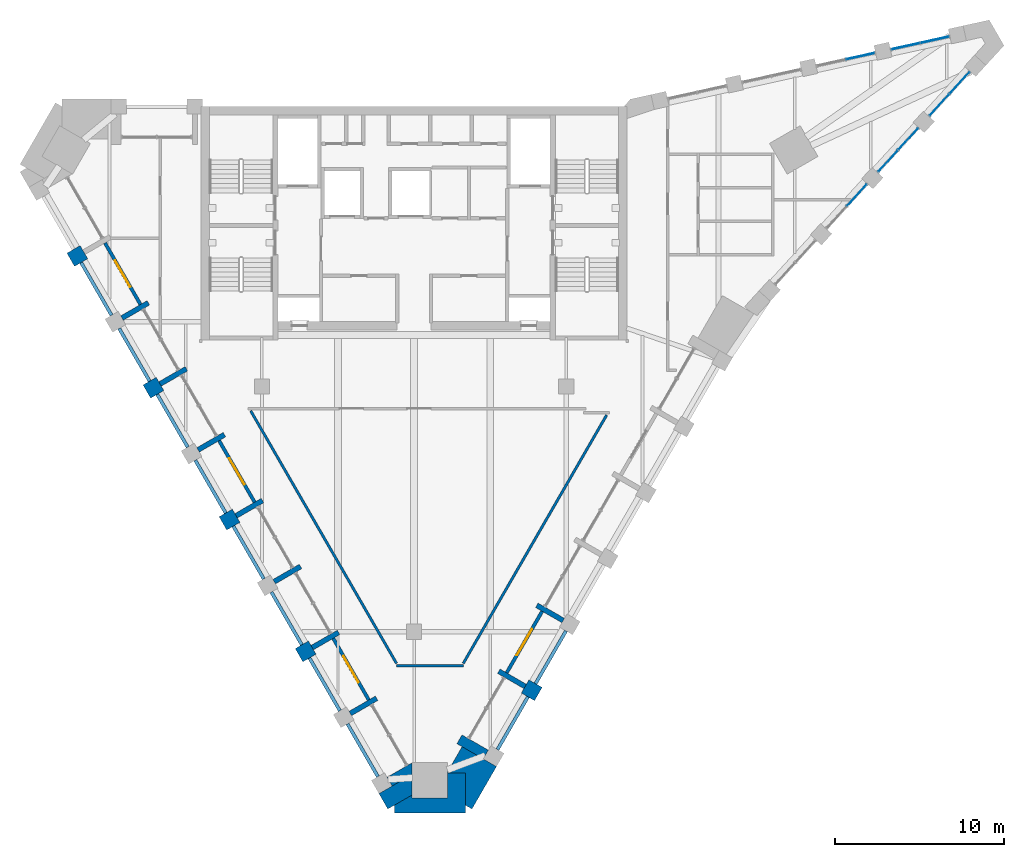
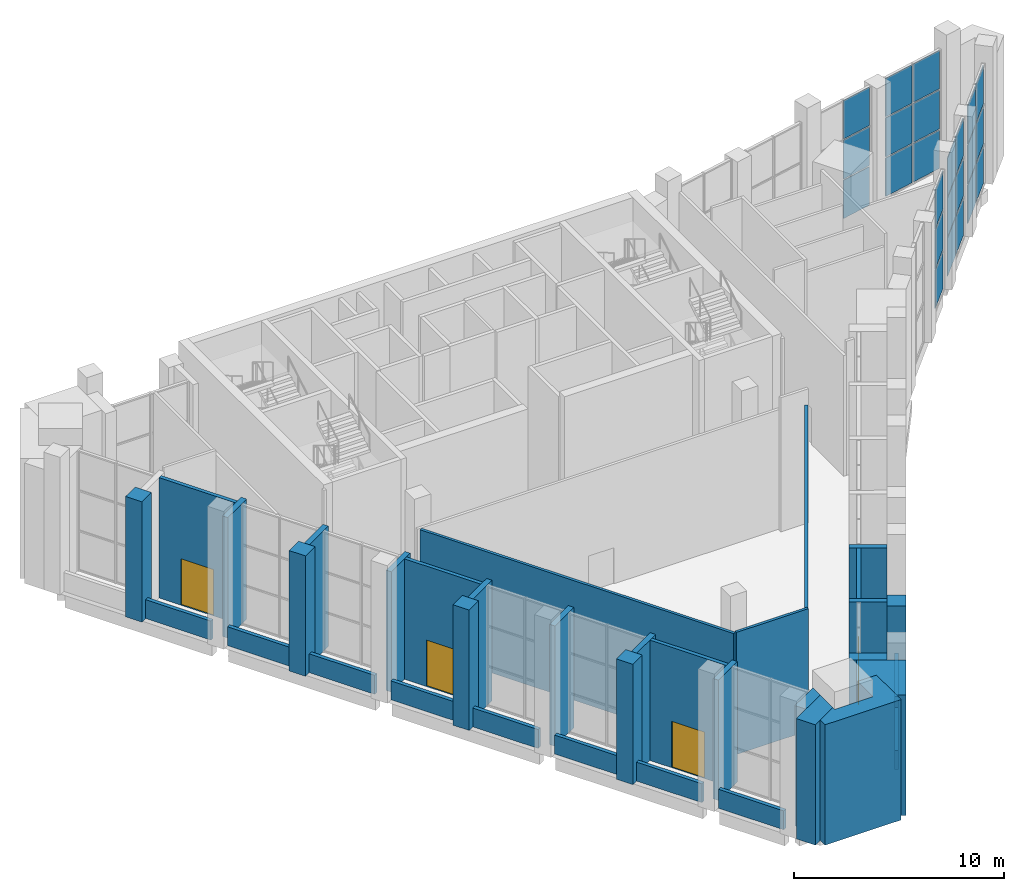
# One storey, part 10 of 16: 36 walls, 24 plates, 4 doors, 4 openings, 5 elements without a shape of their own.
"""IFC4 building model written with IfcOpenShell, lengths in metres."""

from ifc_helpers import new_model, si_unit, direction, frame, frame_2d, origin, origin_2d, place, context, subcontext, project, spatial, polyline, rectangle, outline, extrude, material, layer, layer_set, type_object, element, fill, aggregate, save


model = new_model("IFC4")

# Units and contexts
model_context = context("Model", 3, precision=1e-05, world=origin(), true_north=direction((0.0, 1.0)))
body_context = subcontext(model_context, "Body", "Model", "MODEL_VIEW")
ifc_project = project(units=[si_unit("LENGTHUNIT", "METRE"), si_unit("AREAUNIT", "SQUARE_METRE"), si_unit("VOLUMEUNIT", "CUBIC_METRE"), si_unit("PLANEANGLEUNIT", "RADIAN"), si_unit("MASSUNIT", "GRAM", prefix="KILO")], contexts=[model_context])

# Site, building, storey
site_placement = place(None, origin())
site = spatial("IfcSite", under=ifc_project, at=site_placement, CompositionType="ELEMENT")
building_placement = place(site_placement, origin())
building = spatial("IfcBuilding", under=site, at=building_placement, Name="Calabash Gate Tower", CompositionType="ELEMENT")
storey_placement = place(building_placement, frame((0.0, 0.0, 302.5)))
storey = spatial("IfcBuildingStorey", under=building, at=storey_placement, Name="L72", CompositionType="ELEMENT", Elevation=302.5)

# Curtain wall, plates
ifc_material_1 = material(Name="Anodised aluminium frame, bronze finish, clear laminated impact-rated glazing", Category="aluminium")
curtain_wall_type = type_object("IfcCurtainWallType", Name="Curtain wall CWW wedge prow wall", PredefinedType="NOTDEFINED", material=ifc_material_1)
curtain_wall_1_placement = place(storey_placement, origin())
curtain_wall_1 = element("IfcCurtainWall", 1, at=curtain_wall_1_placement, inside=storey, type_object=curtain_wall_type, Name="Curtain wall CWW L72 wedge3.2", PredefinedType="NOTDEFINED")
ifc_material_2 = material(Name="Clear laminated impact-rated glazing", Category="glass")
ifc_layer_1 = layer(ifc_material_2, 0.0400390625)
ifc_layer_set_1 = layer_set([ifc_layer_1], Name="Glass panel CWW 40")
plate_type = type_object("IfcPlateType", Name="Glass panel CWW 40", PredefinedType="CURTAIN_PANEL", material=ifc_layer_set_1)
plate_1_placement = place(storey_placement, frame((26.181396484375, 13.817138671875, 0.06982421875), z_axis=(0.0, 0.0, 1.0), x_axis=(0.674856059397, 0.737949387896, 0.0)))
plate_1 = element("IfcPlate", 2, at=plate_1_placement, type_object=plate_type, Name="CWW panel 2.1", PredefinedType="CURTAIN_PANEL", context=body_context, shape_type="SweptSolid", body=[
    extrude(rectangle(XDim=1.695068359375, YDim=0.0400390625, at=origin_2d()), origin(), (0.0, 0.0, 1.0), 2.228271484375),
])
plate_2_placement = place(storey_placement, frame((26.181396484375, 13.817138671875, 2.3681640625), z_axis=(0.0, 0.0, 1.0), x_axis=(0.674856059397, 0.737949387896, 0.0)))
plate_2 = element("IfcPlate", 3, at=plate_2_placement, type_object=plate_type, Name="CWW panel 2.2", PredefinedType="CURTAIN_PANEL", context=body_context, shape_type="SweptSolid", body=[
    extrude(rectangle(XDim=1.695068359375, YDim=0.0400390625, at=origin_2d()), origin(), (0.0, 0.0, 1.0), 2.263427734375),
])
plate_3_placement = place(storey_placement, frame((26.181396484375, 13.817138671875, 4.70166015625), z_axis=(0.0, 0.0, 1.0), x_axis=(0.674856059397, 0.737949387896, 0.0)))
plate_3 = element("IfcPlate", 4, at=plate_3_placement, type_object=plate_type, Name="CWW panel 2.3", PredefinedType="CURTAIN_PANEL", context=body_context, shape_type="SweptSolid", body=[
    extrude(rectangle(XDim=1.695068359375, YDim=0.0400390625, at=origin_2d()), origin(), (0.0, 0.0, 1.0), 2.228271484375),
])
aggregate(curtain_wall_1, [plate_1, plate_2, plate_3])

curtain_wall_2_placement = place(storey_placement, origin())
curtain_wall_2 = element("IfcCurtainWall", 5, at=curtain_wall_2_placement, inside=storey, type_object=curtain_wall_type, Name="Curtain wall CWW L72 wedge3.3", PredefinedType="NOTDEFINED")
plate_4_placement = place(storey_placement, frame((28.027099609375, 15.83544921875, 0.06982421875), z_axis=(0.0, 0.0, 1.0), x_axis=(0.674856059397, 0.737949387896, 0.0)))
plate_4 = element("IfcPlate", 6, at=plate_4_placement, type_object=plate_type, Name="CWW panel 1.1", PredefinedType="CURTAIN_PANEL", context=body_context, shape_type="SweptSolid", body=[
    extrude(rectangle(XDim=1.695068359375, YDim=0.0400390625, at=origin_2d()), origin(), (0.0, 0.0, 1.0), 2.228271484375),
])
plate_5_placement = place(storey_placement, frame((28.027099609375, 15.83544921875, 2.3681640625), z_axis=(0.0, 0.0, 1.0), x_axis=(0.674856059397, 0.737949387896, 0.0)))
plate_5 = element("IfcPlate", 7, at=plate_5_placement, type_object=plate_type, Name="CWW panel 1.2", PredefinedType="CURTAIN_PANEL", context=body_context, shape_type="SweptSolid", body=[
    extrude(rectangle(XDim=1.695068359375, YDim=0.0400390625, at=origin_2d()), origin(), (0.0, 0.0, 1.0), 2.263427734375),
])
plate_6_placement = place(storey_placement, frame((28.027099609375, 15.83544921875, 4.70166015625), z_axis=(0.0, 0.0, 1.0), x_axis=(0.674856059397, 0.737949387896, 0.0)))
plate_6 = element("IfcPlate", 8, at=plate_6_placement, type_object=plate_type, Name="CWW panel 1.3", PredefinedType="CURTAIN_PANEL", context=body_context, shape_type="SweptSolid", body=[
    extrude(rectangle(XDim=1.695068359375, YDim=0.0400390625, at=origin_2d()), origin(), (0.0, 0.0, 1.0), 2.228271484375),
])
plate_7_placement = place(storey_placement, frame((29.21826171875, 17.137939453125, 0.06982421875), z_axis=(0.0, 0.0, 1.0), x_axis=(0.674856059397, 0.737949387896, 0.0)))
plate_7 = element("IfcPlate", 9, at=plate_7_placement, type_object=plate_type, Name="CWW panel 2.1", PredefinedType="CURTAIN_PANEL", context=body_context, shape_type="SweptSolid", body=[
    extrude(rectangle(XDim=1.695068359375, YDim=0.0400390625, at=origin_2d()), origin(), (0.0, 0.0, 1.0), 2.228271484375),
])
plate_8_placement = place(storey_placement, frame((29.21826171875, 17.137939453125, 2.3681640625), z_axis=(0.0, 0.0, 1.0), x_axis=(0.674856059397, 0.737949387896, 0.0)))
plate_8 = element("IfcPlate", 10, at=plate_8_placement, type_object=plate_type, Name="CWW panel 2.2", PredefinedType="CURTAIN_PANEL", context=body_context, shape_type="SweptSolid", body=[
    extrude(rectangle(XDim=1.695068359375, YDim=0.0400390625, at=origin_2d()), origin(), (0.0, 0.0, 1.0), 2.263427734375),
])
plate_9_placement = place(storey_placement, frame((29.21826171875, 17.137939453125, 4.70166015625), z_axis=(0.0, 0.0, 1.0), x_axis=(0.674856059397, 0.737949387896, 0.0)))
plate_9 = element("IfcPlate", 11, at=plate_9_placement, type_object=plate_type, Name="CWW panel 2.3", PredefinedType="CURTAIN_PANEL", context=body_context, shape_type="SweptSolid", body=[
    extrude(rectangle(XDim=1.695068359375, YDim=0.0400390625, at=origin_2d()), origin(), (0.0, 0.0, 1.0), 2.228271484375),
])
aggregate(curtain_wall_2, [plate_4, plate_5, plate_6, plate_7, plate_8, plate_9])

curtain_wall_3_placement = place(storey_placement, origin())
curtain_wall_3 = element("IfcCurtainWall", 12, at=curtain_wall_3_placement, inside=storey, type_object=curtain_wall_type, Name="Curtain wall CWW L72 wedge3.4", PredefinedType="NOTDEFINED")
plate_10_placement = place(storey_placement, frame((31.06396484375, 19.15625, 0.06982421875), z_axis=(0.0, 0.0, 1.0), x_axis=(0.674856059397, 0.737949387896, 0.0)))
plate_10 = element("IfcPlate", 13, at=plate_10_placement, type_object=plate_type, Name="CWW panel 1.1", PredefinedType="CURTAIN_PANEL", context=body_context, shape_type="SweptSolid", body=[
    extrude(rectangle(XDim=1.695068359375, YDim=0.0400390625, at=origin_2d()), origin(), (0.0, 0.0, 1.0), 2.228271484375),
])
plate_11_placement = place(storey_placement, frame((31.06396484375, 19.15625, 2.3681640625), z_axis=(0.0, 0.0, 1.0), x_axis=(0.674856059397, 0.737949387896, 0.0)))
plate_11 = element("IfcPlate", 14, at=plate_11_placement, type_object=plate_type, Name="CWW panel 1.2", PredefinedType="CURTAIN_PANEL", context=body_context, shape_type="SweptSolid", body=[
    extrude(rectangle(XDim=1.695068359375, YDim=0.0400390625, at=origin_2d()), origin(), (0.0, 0.0, 1.0), 2.263427734375),
])
plate_12_placement = place(storey_placement, frame((31.06396484375, 19.15625, 4.70166015625), z_axis=(0.0, 0.0, 1.0), x_axis=(0.674856059397, 0.737949387896, 0.0)))
plate_12 = element("IfcPlate", 15, at=plate_12_placement, type_object=plate_type, Name="CWW panel 1.3", PredefinedType="CURTAIN_PANEL", context=body_context, shape_type="SweptSolid", body=[
    extrude(rectangle(XDim=1.695068359375, YDim=0.0400390625, at=origin_2d()), origin(), (0.0, 0.0, 1.0), 2.228271484375),
])
plate_13_placement = place(storey_placement, frame((32.255126953125, 20.458740234375, 0.06982421875), z_axis=(0.0, 0.0, 1.0), x_axis=(0.674856059397, 0.737949387896, 0.0)))
plate_13 = element("IfcPlate", 16, at=plate_13_placement, type_object=plate_type, Name="CWW panel 2.1", PredefinedType="CURTAIN_PANEL", context=body_context, shape_type="SweptSolid", body=[
    extrude(rectangle(XDim=1.695068359375, YDim=0.0400390625, at=origin_2d()), origin(), (0.0, 0.0, 1.0), 2.228271484375),
])
plate_14_placement = place(storey_placement, frame((32.255126953125, 20.458740234375, 2.3681640625), z_axis=(0.0, 0.0, 1.0), x_axis=(0.674856059397, 0.737949387896, 0.0)))
plate_14 = element("IfcPlate", 17, at=plate_14_placement, type_object=plate_type, Name="CWW panel 2.2", PredefinedType="CURTAIN_PANEL", context=body_context, shape_type="SweptSolid", body=[
    extrude(rectangle(XDim=1.695068359375, YDim=0.0400390625, at=origin_2d()), origin(), (0.0, 0.0, 1.0), 2.263427734375),
])
plate_15_placement = place(storey_placement, frame((32.255126953125, 20.458740234375, 4.70166015625), z_axis=(0.0, 0.0, 1.0), x_axis=(0.674856059397, 0.737949387896, 0.0)))
plate_15 = element("IfcPlate", 18, at=plate_15_placement, type_object=plate_type, Name="CWW panel 2.3", PredefinedType="CURTAIN_PANEL", context=body_context, shape_type="SweptSolid", body=[
    extrude(rectangle(XDim=1.695068359375, YDim=0.0400390625, at=origin_2d()), origin(), (0.0, 0.0, 1.0), 2.228271484375),
])
aggregate(curtain_wall_3, [plate_10, plate_11, plate_12, plate_13, plate_14, plate_15])

curtain_wall_4_placement = place(storey_placement, origin())
curtain_wall_4 = element("IfcCurtainWall", 19, at=curtain_wall_4_placement, inside=storey, type_object=curtain_wall_type, Name="Curtain wall CWW L72 wedge5.1", PredefinedType="NOTDEFINED")
plate_16_placement = place(storey_placement, frame((30.785888671875, 23.003173828125, 0.06982421875), z_axis=(0.0, 0.0, 1.0), x_axis=(-0.976510945203, -0.215467802466, 0.0)))
plate_16 = element("IfcPlate", 20, at=plate_16_placement, type_object=plate_type, Name="CWW panel 1.1", PredefinedType="CURTAIN_PANEL", context=body_context, shape_type="SweptSolid", body=[
    extrude(rectangle(XDim=1.695068359375, YDim=0.0400390625, at=origin_2d()), origin(), (0.0, 0.0, 1.0), 2.228271484375),
])
plate_17_placement = place(storey_placement, frame((30.785888671875, 23.003173828125, 2.3681640625), z_axis=(0.0, 0.0, 1.0), x_axis=(-0.976510945203, -0.215467802466, 0.0)))
plate_17 = element("IfcPlate", 21, at=plate_17_placement, type_object=plate_type, Name="CWW panel 1.2", PredefinedType="CURTAIN_PANEL", context=body_context, shape_type="SweptSolid", body=[
    extrude(rectangle(XDim=1.695068359375, YDim=0.0400390625, at=origin_2d()), origin(), (0.0, 0.0, 1.0), 2.263427734375),
])
plate_18_placement = place(storey_placement, frame((30.785888671875, 23.003173828125, 4.70166015625), z_axis=(0.0, 0.0, 1.0), x_axis=(-0.976510945203, -0.215467802466, 0.0)))
plate_18 = element("IfcPlate", 22, at=plate_18_placement, type_object=plate_type, Name="CWW panel 1.3", PredefinedType="CURTAIN_PANEL", context=body_context, shape_type="SweptSolid", body=[
    extrude(rectangle(XDim=1.695068359375, YDim=0.0400390625, at=origin_2d()), origin(), (0.0, 0.0, 1.0), 2.228271484375),
])
plate_19_placement = place(storey_placement, frame((29.0625, 22.622802734375, 0.06982421875), z_axis=(0.0, 0.0, 1.0), x_axis=(-0.976510945203, -0.215467802466, 0.0)))
plate_19 = element("IfcPlate", 23, at=plate_19_placement, type_object=plate_type, Name="CWW panel 2.1", PredefinedType="CURTAIN_PANEL", context=body_context, shape_type="SweptSolid", body=[
    extrude(rectangle(XDim=1.695068359375, YDim=0.0400390625, at=origin_2d()), origin(), (0.0, 0.0, 1.0), 2.228271484375),
])
plate_20_placement = place(storey_placement, frame((29.0625, 22.622802734375, 2.3681640625), z_axis=(0.0, 0.0, 1.0), x_axis=(-0.976510945203, -0.215467802466, 0.0)))
plate_20 = element("IfcPlate", 24, at=plate_20_placement, type_object=plate_type, Name="CWW panel 2.2", PredefinedType="CURTAIN_PANEL", context=body_context, shape_type="SweptSolid", body=[
    extrude(rectangle(XDim=1.695068359375, YDim=0.0400390625, at=origin_2d()), origin(), (0.0, 0.0, 1.0), 2.263427734375),
])
plate_21_placement = place(storey_placement, frame((29.0625, 22.622802734375, 4.70166015625), z_axis=(0.0, 0.0, 1.0), x_axis=(-0.976510945203, -0.215467802466, 0.0)))
plate_21 = element("IfcPlate", 25, at=plate_21_placement, type_object=plate_type, Name="CWW panel 2.3", PredefinedType="CURTAIN_PANEL", context=body_context, shape_type="SweptSolid", body=[
    extrude(rectangle(XDim=1.695068359375, YDim=0.0400390625, at=origin_2d()), origin(), (0.0, 0.0, 1.0), 2.228271484375),
])
aggregate(curtain_wall_4, [plate_16, plate_17, plate_18, plate_19, plate_20, plate_21])

curtain_wall_5_placement = place(storey_placement, origin())
curtain_wall_5 = element("IfcCurtainWall", 26, at=curtain_wall_5_placement, inside=storey, type_object=curtain_wall_type, Name="Curtain wall CWW L72 wedge5.2", PredefinedType="NOTDEFINED")
plate_22_placement = place(storey_placement, frame((26.3916015625, 22.03369140625, 0.06982421875), z_axis=(0.0, 0.0, 1.0), x_axis=(-0.976510958101, -0.215467744008, 0.0)))
plate_22 = element("IfcPlate", 27, at=plate_22_placement, type_object=plate_type, Name="CWW panel 1.1", PredefinedType="CURTAIN_PANEL", context=body_context, shape_type="SweptSolid", body=[
    extrude(rectangle(XDim=1.695068359375, YDim=0.0400390625, at=origin_2d()), origin(), (0.0, 0.0, 1.0), 2.228271484375),
])
plate_23_placement = place(storey_placement, frame((26.3916015625, 22.03369140625, 2.3681640625), z_axis=(0.0, 0.0, 1.0), x_axis=(-0.976510958101, -0.215467744008, 0.0)))
plate_23 = element("IfcPlate", 28, at=plate_23_placement, type_object=plate_type, Name="CWW panel 1.2", PredefinedType="CURTAIN_PANEL", context=body_context, shape_type="SweptSolid", body=[
    extrude(rectangle(XDim=1.695068359375, YDim=0.0400390625, at=origin_2d()), origin(), (0.0, 0.0, 1.0), 2.263427734375),
])
plate_24_placement = place(storey_placement, frame((26.3916015625, 22.03369140625, 4.70166015625), z_axis=(0.0, 0.0, 1.0), x_axis=(-0.976510958101, -0.215467744008, 0.0)))
plate_24 = element("IfcPlate", 29, at=plate_24_placement, type_object=plate_type, Name="CWW panel 1.3", PredefinedType="CURTAIN_PANEL", context=body_context, shape_type="SweptSolid", body=[
    extrude(rectangle(XDim=1.695068359375, YDim=0.0400390625, at=origin_2d()), origin(), (0.0, 0.0, 1.0), 2.228271484375),
])
aggregate(curtain_wall_5, [plate_22, plate_23, plate_24])

# Walls
ifc_material_3 = material(Name="Terracotta brick masonry, exposed face", Category="masonry")
ifc_layer_2 = layer(ifc_material_3, 2.35009765625)
ifc_layer_set_2 = layer_set([ifc_layer_2], Name="Brick corner mass wall 2350")
wall_type_1 = type_object("IfcWallType", Name="Brick corner mass wall 2350", PredefinedType="SOLIDWALL", material=ifc_layer_set_2)
wall_1_placement = place(storey_placement, origin())
element("IfcWall", 30, at=wall_1_placement, inside=storey, type_object=wall_type_1, Name="Brick corner pier L72 1a", PredefinedType="SOLIDWALL", context=body_context, shape_type="SweptSolid", body=[
    extrude(outline(polyline([(-0.114013671875, -20.435546875), (-2.07666015625, -21.568603515625), (-1.55224609375, -22.476806640625), (-0.114013671875, -21.646484375), (-0.114013671875, -20.435546875)])), origin(), (0.0, 0.0, 1.0), 7.0),
])
wall_2_placement = place(storey_placement, origin())
element("IfcWall", 31, at=wall_2_placement, inside=storey, type_object=wall_type_1, Name="Brick corner pier L72 1b", PredefinedType="SOLIDWALL", context=body_context, shape_type="SweptSolid", body=[
    extrude(outline(polyline([(-0.114013671875, -21.81591796875), (-0.114013671875, -21.646484375), (-1.16259765625, -22.251953125), (-1.16259765625, -22.701904296875), (3.034423828125, -22.701904296875), (3.034423828125, -20.351806640625), (1.986083984375, -20.351806640625), (1.986083984375, -21.81591796875), (-0.114013671875, -21.81591796875)])), origin(), (0.0, 0.0, 1.0), 7.0),
])
wall_3_placement = place(storey_placement, origin())
element("IfcWall", 32, at=wall_3_placement, inside=storey, type_object=wall_type_1, Name="Brick corner pier L72 1c", PredefinedType="SOLIDWALL", context=body_context, shape_type="SweptSolid", body=[
    extrude(outline(polyline([(4.87255859375, -19.9677734375), (2.83740234375, -18.79296875), (1.986083984375, -20.267578125), (1.986083984375, -20.351806640625), (3.034423828125, -20.351806640625), (3.034423828125, -22.251953125), (3.424072265625, -22.476806640625), (4.87255859375, -19.9677734375)])), origin(), (0.0, 0.0, 1.0), 7.0),
])
ifc_material_4 = material(Name="Terracotta brick masonry, exposed face", Category="masonry")
ifc_layer_3 = layer(ifc_material_4, 0.89990234375)
ifc_layer_set_3 = layer_set([ifc_layer_3], Name="Brick end wall 900")
wall_type_2 = type_object("IfcWallType", Name="Brick end wall 900", PredefinedType="SOLIDWALL", material=ifc_layer_set_3)
for number, where, z_axis, x_axis, name in (
    (33, (-20.301513671875, 9.998046875, 0.0), (0.0, 0.0, 1.0), (0.866013897511, 0.50001992892, 0.0), "Brick pier L72 SW0.1"),
    (34, (-15.022216796875, 2.65380859375, 0.0), (0.0, 0.0, 1.0), (-0.865896406789, -0.500223362819, 0.0), "Brick pier L72 SW0.3"),
    (35, (-11.136962890625, -4.975830078125, 0.0), (0.0, 0.0, 1.0), (0.500223362819, -0.865896406789, 0.0), "Brick pier L72 SW0.5"),
):
    element("IfcWall", number, at=place(storey_placement, frame(where, z_axis=z_axis, x_axis=x_axis)), inside=storey, type_object=wall_type_2, Name=name, PredefinedType="SOLIDWALL", context=body_context, shape_type="SweptSolid", body=[
        extrude(rectangle(XDim=0.89990234375, YDim=0.89990234375, at=frame_2d((0.449951171875, 0.0))), origin(), (0.0, 0.0, 1.0), 7.0),
    ])
for number, where, z_axis, x_axis, name in (
    (36, (-6.186767578125, -13.549560546875, 0.0), (0.0, 0.0, 1.0), (-0.500105887137, 0.865964261186, 0.0), "Brick pier L72 SW0.7"),
    (37, (7.34765625, -15.68115234375, 0.0), (0.0, 0.0, 1.0), (-0.865964261186, 0.500105887137, 0.0), "Brick pier L72 SE2.1"),
):
    element("IfcWall", number, at=place(storey_placement, frame(where, z_axis=z_axis, x_axis=x_axis)), inside=storey, type_object=wall_type_2, Name=name, PredefinedType="SOLIDWALL", context=body_context, shape_type="SweptSolid", body=[
        extrude(rectangle(XDim=0.900146484375, YDim=0.89990234375, at=frame_2d((0.4501953125, 0.0))), origin(), (0.0, 0.0, 1.0), 7.0),
    ])
ifc_material_5 = material(Name="Terracotta brick masonry, exposed face", Category="masonry")
ifc_layer_4 = layer(ifc_material_5, 0.300048828125)
ifc_layer_set_4 = layer_set([ifc_layer_4], Name="Brick loggia cheek wall 300")
wall_type_3 = type_object("IfcWallType", Name="Brick loggia cheek wall 300", PredefinedType="SOLIDWALL", material=ifc_layer_set_4)
for number, where, z_axis, x_axis, name in (
    (38, (-17.272216796875, 6.55078125, 0.0), (0.0, 0.0, 1.0), (0.865989075817, 0.500062916607, 0.0), "Loggia cheek L72 SW0.2"),
    (39, (-13.46337890625, 3.5537109375, 0.0), (0.0, 0.0, 1.0), (-0.866047807691, -0.499961193289, 0.0), "Loggia cheek L72 SW0.3"),
):
    element("IfcWall", number, at=place(storey_placement, frame(where, z_axis=z_axis, x_axis=x_axis)), inside=storey, type_object=wall_type_3, Name=name, PredefinedType="SOLIDWALL", context=body_context, shape_type="SweptSolid", body=[
        extrude(rectangle(XDim=1.800048828125, YDim=0.300048828125, at=frame_2d((0.89990234375, 0.0))), origin(), (0.0, 0.0, 1.0), 7.0),
    ])
wall_4_placement = place(storey_placement, frame((-12.77197265625, -1.243408203125, 0.0), z_axis=(0.0, 0.0, 1.0), x_axis=(0.866013897511, 0.50001992892, 0.0)))
element("IfcWall", 40, at=wall_4_placement, inside=storey, type_object=wall_type_3, Name="Loggia cheek L72 SW0.4", PredefinedType="SOLIDWALL", context=body_context, shape_type="SweptSolid", body=[
    extrude(rectangle(XDim=1.7998046875, YDim=0.300048828125, at=frame_2d((0.89990234375, 0.0))), origin(), (0.0, 0.0, 1.0), 7.0),
])
for number, where, z_axis, x_axis, name in (
    (41, (-10.522216796875, -5.140380859375, 0.0), (0.0, 0.0, 1.0), (0.866047807691, 0.499961193289, 0.0), "Loggia cheek L72 SW0.5"),
    (42, (-6.71337890625, -8.1376953125, 0.0), (0.0, 0.0, 1.0), (-0.866047807691, -0.499961193289, 0.0), "Loggia cheek L72 SW0.6"),
    (43, (-6.022216796875, -12.934814453125, 0.0), (0.0, 0.0, 1.0), (0.865989075817, 0.500062916607, 0.0), "Loggia cheek L72 SW0.7"),
    (44, (-3.772216796875, -16.831787109375, 0.0), (0.0, 0.0, 1.0), (0.866047807691, 0.499961193289, 0.0), "Loggia cheek L72 SW0.8"),
):
    element("IfcWall", number, at=place(storey_placement, frame(where, z_axis=z_axis, x_axis=x_axis)), inside=storey, type_object=wall_type_3, Name=name, PredefinedType="SOLIDWALL", context=body_context, shape_type="SweptSolid", body=[
        extrude(rectangle(XDim=1.800048828125, YDim=0.300048828125, at=frame_2d((0.89990234375, 0.0))), origin(), (0.0, 0.0, 1.0), 7.0),
    ])
wall_5_placement = place(storey_placement, origin())
element("IfcWall", 45, at=wall_5_placement, inside=storey, type_object=wall_type_3, Name="Loggia cheek L72 SW0.9", PredefinedType="SOLIDWALL", context=body_context, shape_type="SweptSolid", body=[
    extrude(outline(polyline([(-1.297119140625, -21.11865234375), (-0.114013671875, -20.435546875), (-0.114013671875, -19.74267578125), (-1.59716796875, -20.59912109375), (-1.297119140625, -21.11865234375)])), origin(), (0.0, 0.0, 1.0), 7.0),
])
wall_6_placement = place(storey_placement, frame((2.684326171875, -18.358154296875, 0.0), z_axis=(0.0, 0.0, 1.0), x_axis=(0.866047807691, -0.499961193289, 0.0)))
element("IfcWall", 46, at=wall_6_placement, inside=storey, type_object=wall_type_3, Name="Loggia cheek L72 SE2.0", PredefinedType="SOLIDWALL", context=body_context, shape_type="SweptSolid", body=[
    extrude(rectangle(XDim=1.800048828125, YDim=0.60009765625, at=frame_2d((0.89990234375, 0.0))), origin(), (0.0, 0.0, 1.0), 7.0),
])
for number, where, z_axis, x_axis, name in (
    (47, (6.568115234375, -15.23095703125, 0.0), (0.0, 0.0, 1.0), (-0.866047807691, 0.499961193289, 0.0), "Loggia cheek L72 SE2.1"),
    (48, (7.25927734375, -10.433837890625, 0.0), (0.0, 0.0, 1.0), (0.865989075817, -0.500062916607, 0.0), "Loggia cheek L72 SE2.2"),
):
    element("IfcWall", number, at=place(storey_placement, frame(where, z_axis=z_axis, x_axis=x_axis)), inside=storey, type_object=wall_type_3, Name=name, PredefinedType="SOLIDWALL", context=body_context, shape_type="SweptSolid", body=[
        extrude(rectangle(XDim=1.800048828125, YDim=0.300048828125, at=frame_2d((0.89990234375, 0.0))), origin(), (0.0, 0.0, 1.0), 7.0),
    ])
ifc_material_6 = material(Name="Terracotta brick masonry, exposed face", Category="masonry")
ifc_layer_5 = layer(ifc_material_6, 0.199951171875)
ifc_layer_set_5 = layer_set([ifc_layer_5], Name="Brick parapet wall 200")
wall_type_4 = type_object("IfcWallType", Name="Brick parapet wall 200", PredefinedType="PARAPET", material=ifc_layer_set_5)
for number, where, z_axis, x_axis, name in (
    (49, (-19.686767578125, 9.833251953125, 0.0), (0.0, 0.0, 1.0), (0.499961193289, -0.866047807691, 0.0), "Observation parapet L72 SW0.2"),
    (50, (-17.436767578125, 5.93603515625, 0.0), (0.0, 0.0, 1.0), (0.499961193289, -0.866047807691, 0.0), "Observation parapet L72 SW0.3"),
    (51, (-15.186767578125, 2.0390625, 0.0), (0.0, 0.0, 1.0), (0.499961193289, -0.866047807691, 0.0), "Observation parapet L72 SW0.4"),
    (52, (-12.936767578125, -1.858154296875, 0.0), (0.0, 0.0, 1.0), (0.499961193289, -0.866047807691, 0.0), "Observation parapet L72 SW0.5"),
    (53, (-10.686767578125, -5.755126953125, 0.0), (0.0, 0.0, 1.0), (0.499961193289, -0.866047807691, 0.0), "Observation parapet L72 SW0.6"),
    (54, (-8.436767578125, -9.65234375, 0.0), (0.0, 0.0, 1.0), (0.499961193289, -0.866047807691, 0.0), "Observation parapet L72 SW0.7"),
    (55, (-6.186767578125, -13.549560546875, 0.0), (0.0, 0.0, 1.0), (0.499961193289, -0.866047807691, 0.0), "Observation parapet L72 SW0.8"),
    (56, (-3.936767578125, -17.446533203125, 0.0), (0.0, 0.0, 1.0), (0.499961193289, -0.866047807691, 0.0), "Observation parapet L72 SW0.9"),
):
    element("IfcWall", number, at=place(storey_placement, frame(where, z_axis=z_axis, x_axis=x_axis)), inside=storey, type_object=wall_type_4, Name=name, PredefinedType="PARAPET", context=body_context, shape_type="SweptSolid", body=[
        extrude(rectangle(XDim=3.599853515625, YDim=0.199951171875, at=frame_2d((1.7998046875, 0.0))), origin(), (0.0, 0.0, 1.0), 1.10009765625),
    ])
for number, where, z_axis, x_axis, name in (
    (57, (4.932861328125, -18.96337890625, 0.0), (0.0, 0.0, 1.0), (0.500012057535, 0.866018442252, 0.0), "Observation parapet L72 SE2.1"),
    (58, (7.182861328125, -15.06640625, 0.0), (0.0, 0.0, 1.0), (0.500012057535, 0.866018442252, 0.0), "Observation parapet L72 SE2.2"),
):
    element("IfcWall", number, at=place(storey_placement, frame(where, z_axis=z_axis, x_axis=x_axis)), inside=storey, type_object=wall_type_4, Name=name, PredefinedType="PARAPET", context=body_context, shape_type="SweptSolid", body=[
        extrude(rectangle(XDim=3.60009765625, YDim=0.199951171875, at=frame_2d((1.800048828125, 0.0))), origin(), (0.0, 0.0, 1.0), 1.10009765625),
    ])
ifc_material_7 = material(Name="Gypsum board on steel studs, mineral wool", Category="steel")
ifc_layer_6 = layer(ifc_material_7, 0.14990234375)
ifc_layer_set_6 = layer_set([ifc_layer_6], Name="Partition 150 gypsum board")
wall_type_5 = type_object("IfcWallType", Name="Partition 150 gypsum board", PredefinedType="PARTITIONING", material=ifc_layer_set_6)
wall_7_placement = place(storey_placement, frame((-1.037109375, -14.0, 0.0), z_axis=(0.0, 0.0, 1.0), x_axis=(1.0, 0.0, 0.0)))
element("IfcWall", 59, at=wall_7_placement, inside=storey, type_object=wall_type_5, Name="Partition", PredefinedType="PARTITIONING", context=body_context, shape_type="SweptSolid", body=[
    extrude(rectangle(XDim=3.945068359375, YDim=0.14990234375, at=frame_2d((1.97265625, 0.0))), origin(), (0.0, 0.0, 1.0), 7.10009765625),
])
wall_8_placement = place(storey_placement, frame((-9.6591796875, 1.06494140625, 0.0), z_axis=(0.0, 0.0, 1.0), x_axis=(0.499970000572, -0.86604272327, 0.0)))
element("IfcWall", 60, at=wall_8_placement, inside=storey, type_object=wall_type_5, Name="Partition", PredefinedType="PARTITIONING", context=body_context, shape_type="SweptSolid", body=[
    extrude(rectangle(XDim=17.2451171875, YDim=0.14990234375, at=frame_2d((8.62255859375, 0.0))), origin(), (0.0, 0.0, 1.0), 6.9541015625),
])
wall_9_placement = place(storey_placement, frame((2.907958984375, -13.8701171875, 0.0), z_axis=(0.0, 0.0, 1.0), x_axis=(0.499998658648, 0.866026178213, 0.0)))
element("IfcWall", 61, at=wall_9_placement, inside=storey, type_object=wall_type_5, Name="Partition", PredefinedType="PARTITIONING", context=body_context, shape_type="SweptSolid", body=[
    extrude(rectangle(XDim=16.96044921875, YDim=0.14990234375, at=frame_2d((8.480224609375, 0.0))), origin(), (0.0, 0.0, 1.0), 6.9541015625),
])

# Wall, opening, door
ifc_material_8 = material(Name="Aluminium framed window wall with insulated spandrel", Category="aluminium")
ifc_layer_7 = layer(ifc_material_8, 0.199951171875)
ifc_layer_set_7 = layer_set([ifc_layer_7], Name="Window wall 200")
wall_type_6 = type_object("IfcWallType", Name="Window wall 200", PredefinedType="ELEMENTEDWALL", material=ifc_layer_set_7)
wall_10_placement = place(storey_placement, frame((-18.278076171875, 10.9931640625, 0.0), z_axis=(0.0, 0.0, 1.0), x_axis=(0.500002543286, -0.866023935413, 0.0)))
wall_10 = element("IfcWall", 62, at=wall_10_placement, inside=storey, type_object=wall_type_6, Name="Window wall L72 SW0.2", PredefinedType="ELEMENTEDWALL", context=body_context, shape_type="SweptSolid", body=[
    extrude(rectangle(XDim=4.2001953125, YDim=0.199951171875, at=frame_2d((2.10009765625, 0.0))), origin(), (0.0, 0.0, 1.0), 7.0),
])
opening_1_placement = place(wall_10_placement, frame((1.199951171875, 0.0, 0.0)))
opening_1 = element("IfcOpeningElement", 63, at=opening_1_placement, cuts=wall_10, Name="Opening L72-001", PredefinedType="OPENING", context=body_context, shape_type="SweptSolid", body=[
    extrude(rectangle(XDim=1.800048828125, YDim=2.699951171875, at=frame_2d((0.89990234375, 1.35009765625))), frame((0.0, 0.10986328125, 0.0), z_axis=(0.0, -1.0, 0.0), x_axis=(1.0, 0.0, 0.0)), (0.0, 0.0, 1.0), 0.219970703125),
])
ifc_material_9 = material(Name="Anodised aluminium frame, bronze finish, impact-rated laminated clear glazing", Category="aluminium")
door_type = type_object("IfcDoorType", Name="Observation deck door DX1 1800x2700", OperationType="DOUBLE_DOOR_SINGLE_SWING", PredefinedType="DOOR", material=ifc_material_9)
door_1_placement = place(opening_1_placement, origin())
door_1 = element("IfcDoor", 64, at=door_1_placement, inside=storey, type_object=door_type, Name="Loggia door L72 SW0.2", OperationType="SINGLE_SWING_LEFT", OverallHeight=2.699951171875, OverallWidth=1.800048828125, PredefinedType="DOOR", context=body_context, shape_type="SweptSolid", body=[
    extrude(rectangle(XDim=1.800048828125, YDim=2.699951171875, at=frame_2d((0.89990234375, 1.35009765625))), frame((0.0, 0.02490234375, 0.0), z_axis=(0.0, -1.0, 0.0), x_axis=(1.0, 0.0, 0.0)), (0.0, 0.0, 1.0), 0.050048828125),
])
fill(opening_1, door_1)

wall_11_placement = place(storey_placement, frame((-11.528076171875, -0.6982421875, 0.0), z_axis=(0.0, 0.0, 1.0), x_axis=(0.500002543286, -0.866023935413, 0.0)))
wall_11 = element("IfcWall", 65, at=wall_11_placement, inside=storey, type_object=wall_type_6, Name="Window wall L72 SW0.5", PredefinedType="ELEMENTEDWALL", context=body_context, shape_type="SweptSolid", body=[
    extrude(rectangle(XDim=4.2001953125, YDim=0.199951171875, at=frame_2d((2.10009765625, 0.0))), origin(), (0.0, 0.0, 1.0), 7.0),
])
opening_2_placement = place(wall_11_placement, frame((1.199951171875, 0.0, 0.0)))
opening_2 = element("IfcOpeningElement", 66, at=opening_2_placement, cuts=wall_11, Name="Opening L72-002", PredefinedType="OPENING", context=body_context, shape_type="SweptSolid", body=[
    extrude(rectangle(XDim=1.800048828125, YDim=2.699951171875, at=frame_2d((0.89990234375, 1.35009765625))), frame((0.0, 0.10986328125, 0.0), z_axis=(0.0, -1.0, 0.0), x_axis=(1.0, 0.0, 0.0)), (0.0, 0.0, 1.0), 0.219970703125),
])
door_2_placement = place(opening_2_placement, origin())
door_2 = element("IfcDoor", 67, at=door_2_placement, inside=storey, type_object=door_type, Name="Loggia door L72 SW0.5", OperationType="SINGLE_SWING_LEFT", OverallHeight=2.699951171875, OverallWidth=1.800048828125, PredefinedType="DOOR", context=body_context, shape_type="SweptSolid", body=[
    extrude(rectangle(XDim=1.800048828125, YDim=2.699951171875, at=frame_2d((0.89990234375, 1.35009765625))), frame((0.0, 0.02490234375, 0.0), z_axis=(0.0, -1.0, 0.0), x_axis=(1.0, 0.0, 0.0)), (0.0, 0.0, 1.0), 0.050048828125),
])
fill(opening_2, door_2)

wall_12_placement = place(storey_placement, frame((-4.778076171875, -12.3896484375, 0.0), z_axis=(0.0, 0.0, 1.0), x_axis=(0.500027713859, -0.866009402589, 0.0)))
wall_12 = element("IfcWall", 68, at=wall_12_placement, inside=storey, type_object=wall_type_6, Name="Window wall L72 SW0.8", PredefinedType="ELEMENTEDWALL", context=body_context, shape_type="SweptSolid", body=[
    extrude(rectangle(XDim=4.199951171875, YDim=0.199951171875, at=frame_2d((2.10009765625, 0.0))), origin(), (0.0, 0.0, 1.0), 7.0),
])
opening_3_placement = place(wall_12_placement, frame((1.199951171875, 0.0, 0.0)))
opening_3 = element("IfcOpeningElement", 69, at=opening_3_placement, cuts=wall_12, Name="Opening L72-003", PredefinedType="OPENING", context=body_context, shape_type="SweptSolid", body=[
    extrude(rectangle(XDim=1.800048828125, YDim=2.699951171875, at=frame_2d((0.89990234375, 1.35009765625))), frame((0.0, 0.10986328125, 0.0), z_axis=(0.0, -1.0, 0.0), x_axis=(1.0, 0.0, 0.0)), (0.0, 0.0, 1.0), 0.219970703125),
])
door_3_placement = place(opening_3_placement, origin())
door_3 = element("IfcDoor", 70, at=door_3_placement, inside=storey, type_object=door_type, Name="Loggia door L72 SW0.8", OperationType="SINGLE_SWING_LEFT", OverallHeight=2.699951171875, OverallWidth=1.800048828125, PredefinedType="DOOR", context=body_context, shape_type="SweptSolid", body=[
    extrude(rectangle(XDim=1.800048828125, YDim=2.699951171875, at=frame_2d((0.89990234375, 1.35009765625))), frame((0.0, 0.02490234375, 0.0), z_axis=(0.0, -1.0, 0.0), x_axis=(1.0, 0.0, 0.0)), (0.0, 0.0, 1.0), 0.050048828125),
])
fill(opening_3, door_3)

wall_13_placement = place(storey_placement, frame((5.47412109375, -14.42626953125, 0.0), z_axis=(0.0, 0.0, 1.0), x_axis=(0.499958946799, 0.866049104564, 0.0)))
wall_13 = element("IfcWall", 71, at=wall_13_placement, inside=storey, type_object=wall_type_6, Name="Window wall L72 SE2.2", PredefinedType="ELEMENTEDWALL", context=body_context, shape_type="SweptSolid", body=[
    extrude(rectangle(XDim=4.199951171875, YDim=0.199951171875, at=frame_2d((2.10009765625, 0.0))), origin(), (0.0, 0.0, 1.0), 7.0),
])
opening_4_placement = place(wall_13_placement, frame((1.199951171875, 0.0, 0.0)))
opening_4 = element("IfcOpeningElement", 72, at=opening_4_placement, cuts=wall_13, Name="Opening L72-004", PredefinedType="OPENING", context=body_context, shape_type="SweptSolid", body=[
    extrude(rectangle(XDim=1.800048828125, YDim=2.699951171875, at=frame_2d((0.89990234375, 1.35009765625))), frame((0.0, 0.10986328125, 0.0), z_axis=(0.0, -1.0, 0.0), x_axis=(1.0, 0.0, 0.0)), (0.0, 0.0, 1.0), 0.219970703125),
])
door_4_placement = place(opening_4_placement, origin())
door_4 = element("IfcDoor", 73, at=door_4_placement, inside=storey, type_object=door_type, Name="Loggia door L72 SE2.2", OperationType="SINGLE_SWING_LEFT", OverallHeight=2.699951171875, OverallWidth=1.800048828125, PredefinedType="DOOR", context=body_context, shape_type="SweptSolid", body=[
    extrude(rectangle(XDim=1.800048828125, YDim=2.699951171875, at=frame_2d((0.89990234375, 1.35009765625))), frame((0.0, 0.02490234375, 0.0), z_axis=(0.0, -1.0, 0.0), x_axis=(1.0, 0.0, 0.0)), (0.0, 0.0, 1.0), 0.050048828125),
])
fill(opening_4, door_4)

save(model, "model.ifc")
